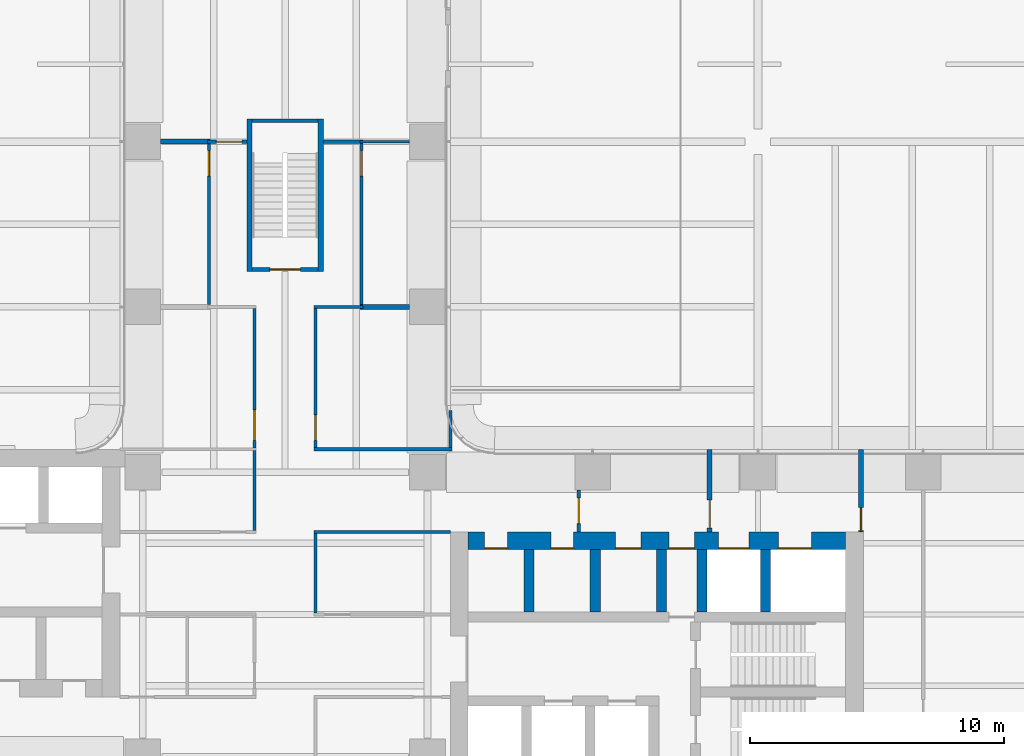
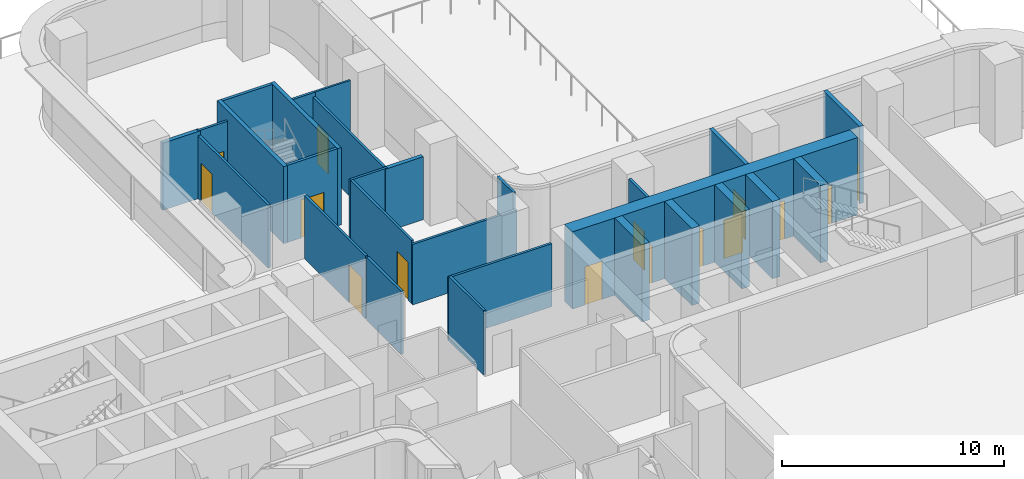
# One storey, part 23 of 29: 28 walls, 15 doors, 15 openings.
"""IFC4 building model written with IfcOpenShell, lengths in metres."""

from ifc_helpers import new_model, si_unit, direction, frame, frame_2d, origin, place, context, subcontext, project, spatial, rectangle, extrude, source, transform, mapped, material, layer, layer_set, type_object, element, fill, save


model = new_model("IFC4")

# Units and contexts
model_context = context("Model", 3, precision=1e-05, world=origin(), true_north=direction((0.0, 1.0)))
body_context = subcontext(model_context, "Body", "Model", "MODEL_VIEW")
ifc_project = project(units=[si_unit("LENGTHUNIT", "METRE"), si_unit("AREAUNIT", "SQUARE_METRE"), si_unit("VOLUMEUNIT", "CUBIC_METRE"), si_unit("PLANEANGLEUNIT", "RADIAN"), si_unit("MASSUNIT", "GRAM", prefix="KILO")], contexts=[model_context])

# Site, building, storey
site_placement = place(None, origin())
site = spatial("IfcSite", under=ifc_project, at=site_placement, CompositionType="ELEMENT")
building_placement = place(site_placement, origin())
building = spatial("IfcBuilding", under=site, at=building_placement, Name="Trellis Farm Tower", CompositionType="ELEMENT")
storey_placement = place(building_placement, frame((0.0, 0.0, 34.0)))
storey = spatial("IfcBuildingStorey", under=building, at=storey_placement, Name="L06", CompositionType="ELEMENT", Elevation=34.0)

# Walls
ifc_material_1 = material(Name="Concrete C80/95", Category="concrete")
ifc_layer_1 = layer(ifc_material_1, 0.39990234375)
ifc_layer_set_1 = layer_set([ifc_layer_1], Name="CORE INNER WALL 400 CONCRETE C80/95")
wall_type_1 = type_object("IfcWallType", Name="CORE INNER WALL 400 CONCRETE C80/95", PredefinedType="SHEAR", material=ifc_layer_set_1)
shared_shape_1 = source(origin(), body_context, "Body", "SweptSolid", [
    extrude(rectangle(XDim=2.449951171875, YDim=0.39990234375, at=frame_2d((1.22509765625, 0.0))), origin(), (0.0, 0.0, 1.0), 4.25),
])
for number, where, z_axis, x_axis, name in (
    (1, (9.60009765625, 0.10009765625, 0.0), (0.0, 0.0, 1.0), (0.0, 1.0, 0.0), "Core wall"),
    (2, (12.199951171875, 0.10009765625, 0.0), (0.0, 0.0, 1.0), (0.0, 1.0, 0.0), "Core wall"),
    (3, (14.800048828125, 0.10009765625, 0.0), (0.0, 0.0, 1.0), (0.0, 1.0, 0.0), "Core wall"),
    (4, (16.39990234375, 0.10009765625, 0.0), (0.0, 0.0, 1.0), (0.0, 1.0, 0.0), "Core wall"),
    (5, (18.89990234375, 0.10009765625, 0.0), (0.0, 0.0, 1.0), (0.0, 1.0, 0.0), "Core wall"),
):
    element("IfcWall", number, at=place(storey_placement, frame(where, z_axis=z_axis, x_axis=x_axis)), inside=storey, type_object=wall_type_1, Name=name, PredefinedType="SHEAR", context=body_context, shape_type="MappedRepresentation", body=[
        mapped(shared_shape_1, transform((0.0, 0.0, 0.0))),
    ])

# Wall, opening, door
ifc_material_2 = material(Name="Masonry blockwork", Category="masonry")
ifc_layer_2 = layer(ifc_material_2, 0.199951171875)
ifc_layer_set_2 = layer_set([ifc_layer_2], Name="FIRE LOBBY PARTITION 200 BLOCKWORK")
wall_type_2 = type_object("IfcWallType", Name="FIRE LOBBY PARTITION 200 BLOCKWORK", PredefinedType="PARTITIONING", material=ifc_layer_set_2)
shared_shape_2 = source(origin(), body_context, "Body", "SweptSolid", [
    extrude(rectangle(XDim=3.25, YDim=0.199951171875, at=frame_2d((1.625, 0.0))), origin(), (0.0, 0.0, 1.0), 4.25),
])
wall_1_placement = place(storey_placement, frame((16.699951171875, 3.25, 0.0), z_axis=(0.0, 0.0, 1.0), x_axis=(0.0, 1.0, 0.0)))
wall_1 = element("IfcWall", 6, at=wall_1_placement, inside=storey, type_object=wall_type_2, Name="Fire-fighting lobby partition", PredefinedType="PARTITIONING", context=body_context, shape_type="MappedRepresentation", body=[
    mapped(shared_shape_2, transform((0.0, 0.0, 0.0))),
])
shared_shape_3 = source(origin(), body_context, "Body", "SweptSolid", [
    extrude(rectangle(XDim=1.10009765625, YDim=2.10009765625, at=frame_2d((0.550048828125, 1.050048828125))), frame((0.0, 0.110107421875, 0.0), z_axis=(0.0, -1.0, 0.0), x_axis=(1.0, 0.0, 0.0)), (0.0, 0.0, 1.0), 0.22021484375),
])
opening_1_placement = place(wall_1_placement, frame((0.14990234375, 0.0, 0.0)))
opening_1 = element("IfcOpeningElement", 7, at=opening_1_placement, cuts=wall_1, Name="Opening DC7", PredefinedType="OPENING", context=body_context, shape_type="MappedRepresentation", body=[
    mapped(shared_shape_3, transform((0.0, 0.0, 0.0))),
])
ifc_material_3 = material(Name="Steel", Category="steel")
door_type_1 = type_object("IfcDoorType", Name="CORE FIRE DOOR 1100 X 2100", OperationType="NOTDEFINED", PredefinedType="DOOR", material=ifc_material_3)
shared_shape_4 = source(origin(), body_context, "Body", "SweptSolid", [
    extrude(rectangle(XDim=1.10009765625, YDim=2.10009765625, at=frame_2d((0.550048828125, 1.050048828125))), frame((0.0, 0.02490234375, 0.0), z_axis=(0.0, -1.0, 0.0), x_axis=(1.0, 0.0, 0.0)), (0.0, 0.0, 1.0), 0.050048828125),
])
door_1_placement = place(opening_1_placement, origin())
door_1 = element("IfcDoor", 8, at=door_1_placement, inside=storey, type_object=door_type_1, Name="Core door", OperationType="SINGLE_SWING_RIGHT", OverallHeight=2.10009765625, OverallWidth=1.10009765625, PredefinedType="DOOR", context=body_context, shape_type="MappedRepresentation", body=[
    mapped(shared_shape_4, transform((0.0, 0.0, 0.0))),
])
fill(opening_1, door_1)

wall_2_placement = place(storey_placement, frame((22.64990234375, 3.25, 0.0), z_axis=(0.0, 0.0, 1.0), x_axis=(0.0, 1.0, 0.0)))
wall_2 = element("IfcWall", 9, at=wall_2_placement, inside=storey, type_object=wall_type_2, Name="Fire-fighting lobby partition", PredefinedType="PARTITIONING", context=body_context, shape_type="MappedRepresentation", body=[
    mapped(shared_shape_2, transform((0.0, 0.0, 0.0))),
])
shared_shape_5 = source(origin(), body_context, "Body", "SweptSolid", [
    extrude(rectangle(XDim=0.89990234375, YDim=2.10009765625, at=frame_2d((0.449951171875, 1.050048828125))), frame((0.0, 0.110107421875, 0.0), z_axis=(0.0, -1.0, 0.0), x_axis=(1.0, 0.0, 0.0)), (0.0, 0.0, 1.0), 0.22021484375),
])
opening_2_placement = place(wall_2_placement, frame((0.050048828125, 0.0, 0.0)))
opening_2 = element("IfcOpeningElement", 10, at=opening_2_placement, cuts=wall_2, Name="Opening DC8", PredefinedType="OPENING", context=body_context, shape_type="MappedRepresentation", body=[
    mapped(shared_shape_5, transform((0.0, 0.0, 0.0))),
])
door_type_2 = type_object("IfcDoorType", Name="CORE FIRE DOOR 900 X 2100", OperationType="NOTDEFINED", PredefinedType="DOOR", material=ifc_material_3)
shared_shape_6 = source(origin(), body_context, "Body", "SweptSolid", [
    extrude(rectangle(XDim=0.89990234375, YDim=2.10009765625, at=frame_2d((0.449951171875, 1.050048828125))), frame((0.0, 0.02490234375, 0.0), z_axis=(0.0, -1.0, 0.0), x_axis=(1.0, 0.0, 0.0)), (0.0, 0.0, 1.0), 0.050048828125),
])
door_2_placement = place(opening_2_placement, origin())
door_2 = element("IfcDoor", 11, at=door_2_placement, inside=storey, type_object=door_type_2, Name="Core door", OperationType="SINGLE_SWING_RIGHT", OverallHeight=2.10009765625, OverallWidth=0.89990234375, PredefinedType="DOOR", context=body_context, shape_type="MappedRepresentation", body=[
    mapped(shared_shape_6, transform((0.0, 0.0, 0.0))),
])
fill(opening_2, door_2)

# Wall, openings, doors
ifc_layer_3 = layer(ifc_material_1, 0.699951171875)
ifc_layer_set_3 = layer_set([ifc_layer_3], Name="CORE OUTER WALL 700 CONCRETE C80/95")
wall_type_3 = type_object("IfcWallType", Name="CORE OUTER WALL 700 CONCRETE C80/95", PredefinedType="SHEAR", material=ifc_layer_set_3)
shared_shape_7 = source(origin(), body_context, "Body", "SweptSolid", [
    extrude(rectangle(XDim=14.85009765625, YDim=0.699951171875, at=frame_2d((7.425048828125, 0.0))), origin(), (0.0, 0.0, 1.0), 4.25),
])
wall_3_placement = place(storey_placement, frame((7.199951171875, 2.89990234375, 0.0), z_axis=(0.0, 0.0, 1.0), x_axis=(1.0, 0.0, 0.0)))
wall_3 = element("IfcWall", 12, at=wall_3_placement, inside=storey, type_object=wall_type_3, Name="Core wall", PredefinedType="SHEAR", context=body_context, shape_type="MappedRepresentation", body=[
    mapped(shared_shape_7, transform((0.0, 0.0, 0.0))),
])
shared_shape_8 = source(origin(), body_context, "Body", "SweptSolid", [
    extrude(rectangle(XDim=1.300048828125, YDim=2.10009765625, at=frame_2d((0.64990234375, 1.050048828125))), frame((0.0, 0.360107421875, 0.0), z_axis=(0.0, -1.0, 0.0), x_axis=(1.0, 0.0, 0.0)), (0.0, 0.0, 1.0), 0.72021484375),
])
opening_3_placement = place(wall_3_placement, frame((12.199951171875, 0.0, 0.0)))
opening_3 = element("IfcOpeningElement", 13, at=opening_3_placement, cuts=wall_3, Name="Opening LD7", PredefinedType="OPENING", context=body_context, shape_type="MappedRepresentation", body=[
    mapped(shared_shape_8, transform((0.0, 0.0, 0.0))),
])
shared_shape_9 = source(origin(), body_context, "Body", "SweptSolid", [
    extrude(rectangle(XDim=1.199951171875, YDim=2.10009765625, at=frame_2d((0.60009765625, 1.050048828125))), frame((0.0, 0.360107421875, 0.0), z_axis=(0.0, -1.0, 0.0), x_axis=(1.0, 0.0, 0.0)), (0.0, 0.0, 1.0), 0.72021484375),
])
opening_4_placement = place(wall_3_placement, frame((9.85009765625, 0.0, 0.0)))
opening_4 = element("IfcOpeningElement", 14, at=opening_4_placement, cuts=wall_3, Name="Opening LD8", PredefinedType="OPENING", context=body_context, shape_type="MappedRepresentation", body=[
    mapped(shared_shape_9, transform((0.0, 0.0, 0.0))),
])
shared_shape_10 = source(origin(), body_context, "Body", "SweptSolid", [
    extrude(rectangle(XDim=1.0, YDim=2.10009765625, at=frame_2d((0.5, 1.050048828125))), frame((0.0, 0.360107421875, 0.0), z_axis=(0.0, -1.0, 0.0), x_axis=(1.0, 0.0, 0.0)), (0.0, 0.0, 1.0), 0.72021484375),
])
opening_5_placement = place(wall_3_placement, frame((7.89990234375, 0.0, 0.0)))
opening_5 = element("IfcOpeningElement", 15, at=opening_5_placement, cuts=wall_3, Name="Opening DC6", PredefinedType="OPENING", context=body_context, shape_type="MappedRepresentation", body=[
    mapped(shared_shape_10, transform((0.0, 0.0, 0.0))),
])
shared_shape_11 = source(origin(), body_context, "Body", "SweptSolid", [
    extrude(rectangle(XDim=0.89990234375, YDim=2.10009765625, at=frame_2d((0.449951171875, 1.050048828125))), frame((0.0, 0.360107421875, 0.0), z_axis=(0.0, -1.0, 0.0), x_axis=(1.0, 0.0, 0.0)), (0.0, 0.0, 1.0), 0.72021484375),
])
opening_6_placement = place(wall_3_placement, frame((0.64990234375, 0.0, 0.0)))
opening_6 = element("IfcOpeningElement", 16, at=opening_6_placement, cuts=wall_3, Name="Opening DC11", PredefinedType="OPENING", context=body_context, shape_type="MappedRepresentation", body=[
    mapped(shared_shape_11, transform((0.0, 0.0, 0.0))),
])
opening_7_placement = place(wall_3_placement, frame((3.25, 0.0, 0.0)))
opening_7 = element("IfcOpeningElement", 17, at=opening_7_placement, cuts=wall_3, Name="Opening DC24", PredefinedType="OPENING", context=body_context, shape_type="MappedRepresentation", body=[
    mapped(shared_shape_11, transform((0.0, 0.0, 0.0))),
])
opening_8_placement = place(wall_3_placement, frame((5.800048828125, 0.0, 0.0)))
opening_8 = element("IfcOpeningElement", 18, at=opening_8_placement, cuts=wall_3, Name="Opening DC37", PredefinedType="OPENING", context=body_context, shape_type="MappedRepresentation", body=[
    mapped(shared_shape_10, transform((0.0, 0.0, 0.0))),
])
door_type_3 = type_object("IfcDoorType", Name="CORE FIRE DOOR 1000 X 2100", OperationType="NOTDEFINED", PredefinedType="DOOR", material=ifc_material_3)
shared_shape_12 = source(origin(), body_context, "Body", "SweptSolid", [
    extrude(rectangle(XDim=1.0, YDim=2.10009765625, at=frame_2d((0.5, 1.050048828125))), frame((0.0, -0.27490234375, 0.0), z_axis=(0.0, -1.0, 0.0), x_axis=(1.0, 0.0, 0.0)), (0.0, 0.0, 1.0), 0.050048828125),
])
door_3_placement = place(opening_5_placement, origin())
door_3 = element("IfcDoor", 19, at=door_3_placement, inside=storey, type_object=door_type_3, Name="Core door", OperationType="SINGLE_SWING_LEFT", OverallHeight=2.10009765625, OverallWidth=1.0, PredefinedType="DOOR", context=body_context, shape_type="MappedRepresentation", body=[
    mapped(shared_shape_12, transform((0.0, 0.0, 0.0))),
])
fill(opening_5, door_3)
door_4_placement = place(opening_8_placement, origin())
door_4 = element("IfcDoor", 20, at=door_4_placement, inside=storey, type_object=door_type_3, Name="Core door", OperationType="SINGLE_SWING_LEFT", OverallHeight=2.10009765625, OverallWidth=1.0, PredefinedType="DOOR", context=body_context, shape_type="MappedRepresentation", body=[
    mapped(shared_shape_12, transform((0.0, 0.0, 0.0))),
])
fill(opening_8, door_4)
shared_shape_13 = source(origin(), body_context, "Body", "SweptSolid", [
    extrude(rectangle(XDim=0.89990234375, YDim=2.10009765625, at=frame_2d((0.449951171875, 1.050048828125))), frame((0.0, -0.27490234375, 0.0), z_axis=(0.0, -1.0, 0.0), x_axis=(1.0, 0.0, 0.0)), (0.0, 0.0, 1.0), 0.050048828125),
])
door_5_placement = place(opening_6_placement, origin())
door_5 = element("IfcDoor", 21, at=door_5_placement, inside=storey, type_object=door_type_2, Name="Core door", OperationType="SINGLE_SWING_LEFT", OverallHeight=2.10009765625, OverallWidth=0.89990234375, PredefinedType="DOOR", context=body_context, shape_type="MappedRepresentation", body=[
    mapped(shared_shape_13, transform((0.0, 0.0, 0.0))),
])
fill(opening_6, door_5)
door_6_placement = place(opening_7_placement, origin())
door_6 = element("IfcDoor", 22, at=door_6_placement, inside=storey, type_object=door_type_2, Name="Core door", OperationType="SINGLE_SWING_RIGHT", OverallHeight=2.10009765625, OverallWidth=0.89990234375, PredefinedType="DOOR", context=body_context, shape_type="MappedRepresentation", body=[
    mapped(shared_shape_13, transform((0.0, 0.0, 0.0))),
])
fill(opening_7, door_6)
ifc_material_4 = material(Name="Stainless steel", Category="steel")
door_type_4 = type_object("IfcDoorType", Name="LIFT LANDING DOOR 1300 X 2100", OperationType="DOUBLE_DOOR_SLIDING", PredefinedType="DOOR", material=ifc_material_4)
shared_shape_14 = source(origin(), body_context, "Body", "SweptSolid", [
    extrude(rectangle(XDim=1.300048828125, YDim=2.10009765625, at=frame_2d((0.64990234375, 1.050048828125))), frame((0.0, -0.27490234375, 0.0), z_axis=(0.0, -1.0, 0.0), x_axis=(1.0, 0.0, 0.0)), (0.0, 0.0, 1.0), 0.050048828125),
])
door_7_placement = place(opening_3_placement, origin())
door_7 = element("IfcDoor", 23, at=door_7_placement, inside=storey, type_object=door_type_4, Name="Lift landing door", OperationType="DOUBLE_DOOR_SLIDING", OverallHeight=2.10009765625, OverallWidth=1.300048828125, PredefinedType="DOOR", context=body_context, shape_type="MappedRepresentation", body=[
    mapped(shared_shape_14, transform((0.0, 0.0, 0.0))),
])
fill(opening_3, door_7)
door_type_5 = type_object("IfcDoorType", Name="LIFT LANDING DOOR 1200 X 2100", OperationType="DOUBLE_DOOR_SLIDING", PredefinedType="DOOR", material=ifc_material_4)
shared_shape_15 = source(origin(), body_context, "Body", "SweptSolid", [
    extrude(rectangle(XDim=1.199951171875, YDim=2.10009765625, at=frame_2d((0.60009765625, 1.050048828125))), frame((0.0, -0.27490234375, 0.0), z_axis=(0.0, -1.0, 0.0), x_axis=(1.0, 0.0, 0.0)), (0.0, 0.0, 1.0), 0.050048828125),
])
door_8_placement = place(opening_4_placement, origin())
door_8 = element("IfcDoor", 24, at=door_8_placement, inside=storey, type_object=door_type_5, Name="Lift landing door", OperationType="DOUBLE_DOOR_SLIDING", OverallHeight=2.10009765625, OverallWidth=1.199951171875, PredefinedType="DOOR", context=body_context, shape_type="MappedRepresentation", body=[
    mapped(shared_shape_15, transform((0.0, 0.0, 0.0))),
])
fill(opening_4, door_8)

# Walls
ifc_layer_4 = layer(ifc_material_1, 0.199951171875)
ifc_layer_set_4 = layer_set([ifc_layer_4], Name="CORE STAIR ENCLOSURE WALL 200 CONCRETE C80/95")
wall_type_4 = type_object("IfcWallType", Name="CORE STAIR ENCLOSURE WALL 200 CONCRETE C80/95", PredefinedType="SHEAR", material=ifc_layer_set_4)
shared_shape_16 = source(origin(), body_context, "Body", "SweptSolid", [
    extrude(rectangle(XDim=6.0, YDim=0.199951171875, at=frame_2d((3.0, 0.0))), origin(), (0.0, 0.0, 1.0), 4.25),
])
for number, where, z_axis, x_axis, name in (
    (25, (-1.39990234375, 13.5, 0.0), (0.0, 0.0, 1.0), (0.0, 1.0, 0.0), "Stair enclosure wall"),
    (26, (1.39990234375, 13.5, 0.0), (0.0, 0.0, 1.0), (0.0, 1.0, 0.0), "Stair enclosure wall"),
):
    element("IfcWall", number, at=place(storey_placement, frame(where, z_axis=z_axis, x_axis=x_axis)), inside=storey, type_object=wall_type_4, Name=name, PredefinedType="SHEAR", context=body_context, shape_type="MappedRepresentation", body=[
        mapped(shared_shape_16, transform((0.0, 0.0, 0.0))),
    ])

# Wall, opening, door
ifc_layer_5 = layer(ifc_material_1, 0.14990234375)
ifc_layer_set_5 = layer_set([ifc_layer_5], Name="CORE STAIR ENCLOSURE WALL 150 CONCRETE C80/95")
wall_type_5 = type_object("IfcWallType", Name="CORE STAIR ENCLOSURE WALL 150 CONCRETE C80/95", PredefinedType="SHEAR", material=ifc_layer_set_5)
shared_shape_17 = source(origin(), body_context, "Body", "SweptSolid", [
    extrude(rectangle(XDim=2.60009765625, YDim=0.14990234375, at=frame_2d((1.300048828125, 0.0))), origin(), (0.0, 0.0, 1.0), 4.25),
])
wall_4_placement = place(storey_placement, frame((-1.300048828125, 13.574951171875, 0.0), z_axis=(0.0, 0.0, 1.0), x_axis=(1.0, 0.0, 0.0)))
wall_4 = element("IfcWall", 27, at=wall_4_placement, inside=storey, type_object=wall_type_5, Name="Stair enclosure wall", PredefinedType="SHEAR", context=body_context, shape_type="MappedRepresentation", body=[
    mapped(shared_shape_17, transform((0.0, 0.0, 0.0))),
])
shared_shape_18 = source(origin(), body_context, "Body", "SweptSolid", [
    extrude(rectangle(XDim=1.199951171875, YDim=2.10009765625, at=frame_2d((0.60009765625, 1.050048828125))), frame((0.0, 0.0849609375, 0.0), z_axis=(0.0, -1.0, 0.0), x_axis=(1.0, 0.0, 0.0)), (0.0, 0.0, 1.0), 0.169921875),
])
opening_9_placement = place(wall_4_placement, frame((0.699951171875, 0.0, 0.0)))
opening_9 = element("IfcOpeningElement", 28, at=opening_9_placement, cuts=wall_4, Name="Opening DC173", PredefinedType="OPENING", context=body_context, shape_type="MappedRepresentation", body=[
    mapped(shared_shape_18, transform((0.0, 0.0, 0.0))),
])
door_type_6 = type_object("IfcDoorType", Name="CORE FIRE DOOR 1200 X 2100", OperationType="NOTDEFINED", PredefinedType="DOOR", material=ifc_material_3)
shared_shape_19 = source(origin(), body_context, "Body", "SweptSolid", [
    extrude(rectangle(XDim=1.199951171875, YDim=2.10009765625, at=frame_2d((0.60009765625, 1.050048828125))), frame((0.0, 0.02490234375, 0.0), z_axis=(0.0, -1.0, 0.0), x_axis=(1.0, 0.0, 0.0)), (0.0, 0.0, 1.0), 0.050048828125),
])
door_9_placement = place(opening_9_placement, origin())
door_9 = element("IfcDoor", 29, at=door_9_placement, inside=storey, type_object=door_type_6, Name="Core door", OperationType="SINGLE_SWING_LEFT", OverallHeight=2.10009765625, OverallWidth=1.199951171875, PredefinedType="DOOR", context=body_context, shape_type="MappedRepresentation", body=[
    mapped(shared_shape_19, transform((0.0, 0.0, 0.0))),
])
fill(opening_9, door_9)

# Walls
wall_5_placement = place(storey_placement, frame((-1.300048828125, 19.425048828125, 0.0), z_axis=(0.0, 0.0, 1.0), x_axis=(1.0, 0.0, 0.0)))
element("IfcWall", 30, at=wall_5_placement, inside=storey, type_object=wall_type_5, Name="Stair enclosure wall", PredefinedType="SHEAR", context=body_context, shape_type="MappedRepresentation", body=[
    mapped(shared_shape_17, transform((0.0, 0.0, 0.0))),
])
ifc_material_5 = material(Name="Plasterboard on steel studs, mineral wool", Category="steel")
ifc_layer_6 = layer(ifc_material_5, 0.125)
ifc_layer_set_6 = layer_set([ifc_layer_6], Name="PARTITION 125 STUD EI 60")
wall_type_6 = type_object("IfcWallType", Name="PARTITION 125 STUD EI 60", PredefinedType="PARTITIONING", material=ifc_layer_set_6)
shared_shape_20 = source(origin(), body_context, "Body", "SweptSolid", [
    extrude(rectangle(XDim=3.125, YDim=0.125, at=frame_2d((1.5625, 0.0))), origin(), (0.0, 0.0, 1.0), 3.54638671875),
])
wall_6_placement = place(storey_placement, frame((1.199951171875, 3.1875, 0.0), z_axis=(0.0, 0.0, 1.0), x_axis=(0.0, -1.0, 0.0)))
element("IfcWall", 31, at=wall_6_placement, inside=storey, type_object=wall_type_6, Name="Partition PW1", PredefinedType="PARTITIONING", context=body_context, shape_type="MappedRepresentation", body=[
    mapped(shared_shape_20, transform((0.0, 0.0, 0.0))),
])

# Wall, opening, door
shared_shape_21 = source(origin(), body_context, "Body", "SweptSolid", [
    extrude(rectangle(XDim=5.47509765625, YDim=0.125, at=frame_2d((2.737548828125, 0.0))), origin(), (0.0, 0.0, 1.0), 3.4677734375),
])
wall_7_placement = place(storey_placement, frame((1.199951171875, 12.03759765625, 0.0), z_axis=(0.0, 0.0, 1.0), x_axis=(0.0, -1.0, 0.0)))
wall_7 = element("IfcWall", 32, at=wall_7_placement, inside=storey, type_object=wall_type_6, Name="Partition PW1", PredefinedType="PARTITIONING", context=body_context, shape_type="MappedRepresentation", body=[
    mapped(shared_shape_21, transform((0.0, 0.0, 0.0))),
])
shared_shape_22 = source(origin(), body_context, "Body", "SweptSolid", [
    extrude(rectangle(XDim=1.0, YDim=2.10009765625, at=frame_2d((0.5, 1.050048828125))), frame((0.0, 0.072509765625, 0.0), z_axis=(0.0, -1.0, 0.0), x_axis=(1.0, 0.0, 0.0)), (0.0, 0.0, 1.0), 0.14501953125),
])
opening_10_placement = place(wall_7_placement, frame((4.1875, 0.0, 0.0)))
opening_10 = element("IfcOpeningElement", 33, at=opening_10_placement, cuts=wall_7, Name="Opening D304", PredefinedType="OPENING", context=body_context, shape_type="MappedRepresentation", body=[
    mapped(shared_shape_22, transform((0.0, 0.0, 0.0))),
])
ifc_material_6 = material(Name="Fire-rated timber door leaf in a hollow metal frame", Category="wood")
door_type_7 = type_object("IfcDoorType", Name="DOOR 1000x2100 FD60", OperationType="NOTDEFINED", PredefinedType="DOOR", material=ifc_material_6)
shared_shape_23 = source(origin(), body_context, "Body", "SweptSolid", [
    extrude(rectangle(XDim=1.0, YDim=2.10009765625, at=frame_2d((0.5, 1.050048828125))), frame((0.0, 0.02490234375, 0.0), z_axis=(0.0, -1.0, 0.0), x_axis=(1.0, 0.0, 0.0)), (0.0, 0.0, 1.0), 0.050048828125),
])
door_10_placement = place(opening_10_placement, origin())
door_10 = element("IfcDoor", 34, at=door_10_placement, inside=storey, type_object=door_type_7, Name="Door D304", OperationType="SINGLE_SWING_RIGHT", OverallHeight=2.10009765625, OverallWidth=1.0, PredefinedType="DOOR", context=body_context, shape_type="MappedRepresentation", body=[
    mapped(shared_shape_23, transform((0.0, 0.0, 0.0))),
])
fill(opening_10, door_10)

shared_shape_24 = source(origin(), body_context, "Body", "SweptSolid", [
    extrude(rectangle(XDim=6.35009765625, YDim=0.125, at=frame_2d((3.175048828125, 0.0))), origin(), (0.0, 0.0, 1.0), 3.4677734375),
])
wall_8_placement = place(storey_placement, frame((3.0, 18.550048828125, 0.0), z_axis=(0.0, 0.0, 1.0), x_axis=(0.0, -1.0, 0.0)))
wall_8 = element("IfcWall", 35, at=wall_8_placement, inside=storey, type_object=wall_type_6, Name="Partition PW1", PredefinedType="PARTITIONING", context=body_context, shape_type="MappedRepresentation", body=[
    mapped(shared_shape_24, transform((0.0, 0.0, 0.0))),
])
opening_11_placement = place(wall_8_placement, frame((0.300048828125, 0.0, 0.0)))
opening_11 = element("IfcOpeningElement", 36, at=opening_11_placement, cuts=wall_8, Name="Opening D110", PredefinedType="OPENING", context=body_context, shape_type="MappedRepresentation", body=[
    mapped(shared_shape_22, transform((0.0, 0.0, 0.0))),
])
door_type_8 = type_object("IfcDoorType", Name="DOOR 1000x2100 FD30S", OperationType="NOTDEFINED", PredefinedType="DOOR", material=ifc_material_6)
door_11_placement = place(opening_11_placement, origin())
door_11 = element("IfcDoor", 37, at=door_11_placement, inside=storey, type_object=door_type_8, Name="Door D110", OperationType="SINGLE_SWING_LEFT", OverallHeight=2.10009765625, OverallWidth=1.0, PredefinedType="DOOR", context=body_context, shape_type="MappedRepresentation", body=[
    mapped(shared_shape_23, transform((0.0, 0.0, 0.0))),
])
fill(opening_11, door_11)

# Wall
shared_shape_25 = source(origin(), body_context, "Body", "SweptSolid", [
    extrude(rectangle(XDim=1.468994140625, YDim=0.125, at=frame_2d((0.734375, 0.0))), origin(), (0.0, 0.0, 1.0), 4.25),
])
wall_9_placement = place(storey_placement, frame((6.5, 6.5625, 0.0), z_axis=(0.0, 0.0, 1.0), x_axis=(0.0, 1.0, 0.0)))
element("IfcWall", 38, at=wall_9_placement, inside=storey, type_object=wall_type_6, Name="Partition PW1", PredefinedType="PARTITIONING", context=body_context, shape_type="MappedRepresentation", body=[
    mapped(shared_shape_25, transform((0.0, 0.0, 0.0))),
])

# Wall, opening, door
shared_shape_26 = source(origin(), body_context, "Body", "SweptSolid", [
    extrude(rectangle(XDim=1.64990234375, YDim=0.125, at=frame_2d((0.824951171875, 0.0))), origin(), (0.0, 0.0, 1.0), 4.25),
])
wall_10_placement = place(storey_placement, frame((11.550048828125, 3.25, 0.0), z_axis=(0.0, 0.0, 1.0), x_axis=(0.0, 1.0, 0.0)))
wall_10 = element("IfcWall", 39, at=wall_10_placement, inside=storey, type_object=wall_type_6, Name="Partition PW1", PredefinedType="PARTITIONING", context=body_context, shape_type="MappedRepresentation", body=[
    mapped(shared_shape_26, transform((0.0, 0.0, 0.0))),
])
opening_12_placement = place(wall_10_placement, frame((0.324951171875, 0.0, 0.0)))
opening_12 = element("IfcOpeningElement", 40, at=opening_12_placement, cuts=wall_10, Name="Opening D303", PredefinedType="OPENING", context=body_context, shape_type="MappedRepresentation", body=[
    mapped(shared_shape_22, transform((0.0, 0.0, 0.0))),
])
door_12_placement = place(opening_12_placement, origin())
door_12 = element("IfcDoor", 41, at=door_12_placement, inside=storey, type_object=door_type_7, Name="Door D303", OperationType="SINGLE_SWING_LEFT", OverallHeight=2.10009765625, OverallWidth=1.0, PredefinedType="DOOR", context=body_context, shape_type="MappedRepresentation", body=[
    mapped(shared_shape_23, transform((0.0, 0.0, 0.0))),
])
fill(opening_12, door_12)

# Wall
ifc_material_7 = material(Name="Plasterboard on steel studs", Category="steel")
ifc_layer_7 = layer(ifc_material_7, 0.10009765625)
ifc_layer_set_7 = layer_set([ifc_layer_7], Name="PARTITION 100 STUD EI 30")
wall_type_7 = type_object("IfcWallType", Name="PARTITION 100 STUD EI 30", PredefinedType="PARTITIONING", material=ifc_layer_set_7)
shared_shape_27 = source(origin(), body_context, "Body", "SweptSolid", [
    extrude(rectangle(XDim=1.96240234375, YDim=0.10009765625, at=frame_2d((0.981201171875, 0.0))), origin(), (0.0, 0.0, 1.0), 3.69677734375),
])
wall_11_placement = place(storey_placement, frame((2.9375, 18.60009765625, 0.0), z_axis=(0.0, 0.0, 1.0), x_axis=(1.0, 0.0, 0.0)))
element("IfcWall", 42, at=wall_11_placement, inside=storey, type_object=wall_type_7, Name="Partition PW2", PredefinedType="PARTITIONING", context=body_context, shape_type="MappedRepresentation", body=[
    mapped(shared_shape_27, transform((0.0, 0.0, 0.0))),
])

# Wall, opening, door
shared_shape_28 = source(origin(), body_context, "Body", "SweptSolid", [
    extrude(rectangle(XDim=1.5625, YDim=0.125, at=frame_2d((0.78125, 0.0))), origin(), (0.0, 0.0, 1.0), 3.69677734375),
])
wall_12_placement = place(storey_placement, frame((-3.0625, 18.60009765625, 0.0), z_axis=(0.0, 0.0, 1.0), x_axis=(1.0, 0.0, 0.0)))
wall_12 = element("IfcWall", 43, at=wall_12_placement, inside=storey, type_object=wall_type_6, Name="Partition PW1", PredefinedType="PARTITIONING", context=body_context, shape_type="MappedRepresentation", body=[
    mapped(shared_shape_28, transform((0.0, 0.0, 0.0))),
])
opening_13_placement = place(wall_12_placement, frame((0.362548828125, 0.0, 0.0)))
opening_13 = element("IfcOpeningElement", 44, at=opening_13_placement, cuts=wall_12, Name="Opening D111", PredefinedType="OPENING", context=body_context, shape_type="MappedRepresentation", body=[
    mapped(shared_shape_22, transform((0.0, 0.0, 0.0))),
])
door_13_placement = place(opening_13_placement, origin())
door_13 = element("IfcDoor", 45, at=door_13_placement, inside=storey, type_object=door_type_8, Name="Door D111", OperationType="SINGLE_SWING_RIGHT", OverallHeight=2.10009765625, OverallWidth=1.0, PredefinedType="DOOR", context=body_context, shape_type="MappedRepresentation", body=[
    mapped(shared_shape_23, transform((0.0, 0.0, 0.0))),
])
fill(opening_13, door_13)

# Walls
wall_13_placement = place(storey_placement, frame((1.5, 18.60009765625, 0.0), z_axis=(0.0, 0.0, 1.0), x_axis=(1.0, 0.0, 0.0)))
element("IfcWall", 46, at=wall_13_placement, inside=storey, type_object=wall_type_6, Name="Partition PW1", PredefinedType="PARTITIONING", context=body_context, shape_type="MappedRepresentation", body=[
    mapped(shared_shape_28, transform((0.0, 0.0, 0.0))),
])
shared_shape_29 = source(origin(), body_context, "Body", "SweptSolid", [
    extrude(rectangle(XDim=1.925048828125, YDim=0.125, at=frame_2d((0.96240234375, 0.0))), origin(), (0.0, 0.0, 1.0), 3.4677734375),
])
wall_14_placement = place(storey_placement, frame((3.0625, 12.10009765625, 0.0), z_axis=(0.0, 0.0, 1.0), x_axis=(-1.0, 0.0, 0.0)))
element("IfcWall", 47, at=wall_14_placement, inside=storey, type_object=wall_type_6, Name="Partition PW1", PredefinedType="PARTITIONING", context=body_context, shape_type="MappedRepresentation", body=[
    mapped(shared_shape_29, transform((0.0, 0.0, 0.0))),
])
shared_shape_30 = source(origin(), body_context, "Body", "SweptSolid", [
    extrude(rectangle(XDim=5.362548828125, YDim=0.125, at=frame_2d((2.68115234375, 0.0))), origin(), (0.0, 0.0, 1.0), 3.4677734375),
])
wall_15_placement = place(storey_placement, frame((1.137451171875, 3.25, 0.0), z_axis=(0.0, 0.0, 1.0), x_axis=(1.0, 0.0, 0.0)))
element("IfcWall", 48, at=wall_15_placement, inside=storey, type_object=wall_type_6, Name="Partition PW1", PredefinedType="PARTITIONING", context=body_context, shape_type="MappedRepresentation", body=[
    mapped(shared_shape_30, transform((0.0, 0.0, 0.0))),
])
shared_shape_31 = source(origin(), body_context, "Body", "SweptSolid", [
    extrude(rectangle(XDim=5.425048828125, YDim=0.125, at=frame_2d((2.71240234375, 0.0))), origin(), (0.0, 0.0, 1.0), 3.330078125),
])
wall_16_placement = place(storey_placement, frame((1.137451171875, 6.5, 0.0), z_axis=(0.0, 0.0, 1.0), x_axis=(1.0, 0.0, 0.0)))
element("IfcWall", 49, at=wall_16_placement, inside=storey, type_object=wall_type_6, Name="Partition PW1", PredefinedType="PARTITIONING", context=body_context, shape_type="MappedRepresentation", body=[
    mapped(shared_shape_31, transform((0.0, 0.0, 0.0))),
])
ifc_material_8 = material(Name="Lightweight blockwork, plastered", Category="masonry")
ifc_layer_8 = layer(ifc_material_8, 0.199951171875)
ifc_layer_set_8 = layer_set([ifc_layer_8], Name="BLOCK WALL 200 EI 120")
wall_type_8 = type_object("IfcWallType", Name="BLOCK WALL 200 EI 120", PredefinedType="PARTITIONING", material=ifc_layer_set_8)
shared_shape_32 = source(origin(), body_context, "Body", "SweptSolid", [
    extrude(rectangle(XDim=1.96240234375, YDim=0.199951171875, at=frame_2d((0.981201171875, 0.0))), origin(), (0.0, 0.0, 1.0), 3.4677734375),
])
wall_17_placement = place(storey_placement, frame((2.9375, 12.10009765625, 0.0), z_axis=(0.0, 0.0, 1.0), x_axis=(1.0, 0.0, 0.0)))
element("IfcWall", 50, at=wall_17_placement, inside=storey, type_object=wall_type_8, Name="Partition PW3", PredefinedType="PARTITIONING", context=body_context, shape_type="MappedRepresentation", body=[
    mapped(shared_shape_32, transform((0.0, 0.0, 0.0))),
])

# Wall, opening, door
shared_shape_33 = source(origin(), body_context, "Body", "SweptSolid", [
    extrude(rectangle(XDim=6.300048828125, YDim=0.125, at=frame_2d((3.14990234375, 0.0))), origin(), (0.0, 0.0, 1.0), 3.4677734375),
])
wall_18_placement = place(storey_placement, frame((-3.0, 12.199951171875, 0.0), z_axis=(0.0, 0.0, 1.0), x_axis=(0.0, 1.0, 0.0)))
wall_18 = element("IfcWall", 51, at=wall_18_placement, inside=storey, type_object=wall_type_6, Name="Partition PW1", PredefinedType="PARTITIONING", context=body_context, shape_type="MappedRepresentation", body=[
    mapped(shared_shape_33, transform((0.0, 0.0, 0.0))),
])
opening_14_placement = place(wall_18_placement, frame((5.050048828125, 0.0, 0.0)))
opening_14 = element("IfcOpeningElement", 52, at=opening_14_placement, cuts=wall_18, Name="Opening D305", PredefinedType="OPENING", context=body_context, shape_type="MappedRepresentation", body=[
    mapped(shared_shape_22, transform((0.0, 0.0, 0.0))),
])
door_14_placement = place(opening_14_placement, origin())
door_14 = element("IfcDoor", 53, at=door_14_placement, inside=storey, type_object=door_type_7, Name="Door D305", OperationType="SINGLE_SWING_RIGHT", OverallHeight=2.10009765625, OverallWidth=1.0, PredefinedType="DOOR", context=body_context, shape_type="MappedRepresentation", body=[
    mapped(shared_shape_23, transform((0.0, 0.0, 0.0))),
])
fill(opening_14, door_14)

# Wall
shared_shape_34 = source(origin(), body_context, "Body", "SweptSolid", [
    extrude(rectangle(XDim=3.137451171875, YDim=0.125, at=frame_2d((1.56884765625, 0.0))), origin(), (0.0, 0.0, 1.0), 3.4677734375),
])
wall_19_placement = place(storey_placement, frame((-1.199951171875, 6.449951171875, 0.0), z_axis=(0.0, 0.0, 1.0), x_axis=(0.0, -1.0, 0.0)))
element("IfcWall", 54, at=wall_19_placement, inside=storey, type_object=wall_type_6, Name="Partition PW1", PredefinedType="PARTITIONING", context=body_context, shape_type="MappedRepresentation", body=[
    mapped(shared_shape_34, transform((0.0, 0.0, 0.0))),
])

# Wall, opening, door
shared_shape_35 = source(origin(), body_context, "Body", "SweptSolid", [
    extrude(rectangle(XDim=5.487548828125, YDim=0.125, at=frame_2d((2.74365234375, 0.0))), origin(), (0.0, 0.0, 1.0), 3.4677734375),
])
wall_20_placement = place(storey_placement, frame((-1.199951171875, 6.550048828125, 0.0), z_axis=(0.0, 0.0, 1.0), x_axis=(0.0, 1.0, 0.0)))
wall_20 = element("IfcWall", 55, at=wall_20_placement, inside=storey, type_object=wall_type_6, Name="Partition PW1", PredefinedType="PARTITIONING", context=body_context, shape_type="MappedRepresentation", body=[
    mapped(shared_shape_35, transform((0.0, 0.0, 0.0))),
])
shared_shape_36 = source(origin(), body_context, "Body", "SweptSolid", [
    extrude(rectangle(XDim=1.199951171875, YDim=2.10009765625, at=frame_2d((0.60009765625, 1.050048828125))), frame((0.0, 0.072509765625, 0.0), z_axis=(0.0, -1.0, 0.0), x_axis=(1.0, 0.0, 0.0)), (0.0, 0.0, 1.0), 0.14501953125),
])
opening_15_placement = place(wall_20_placement, frame((0.300048828125, 0.0, 0.0)))
opening_15 = element("IfcOpeningElement", 56, at=opening_15_placement, cuts=wall_20, Name="Opening D602", PredefinedType="OPENING", context=body_context, shape_type="MappedRepresentation", body=[
    mapped(shared_shape_36, transform((0.0, 0.0, 0.0))),
])
door_type_9 = type_object("IfcDoorType", Name="DOOR 1200x2100 FD30S", OperationType="NOTDEFINED", PredefinedType="DOOR", material=ifc_material_6)
door_15_placement = place(opening_15_placement, origin())
door_15 = element("IfcDoor", 57, at=door_15_placement, inside=storey, type_object=door_type_9, Name="Door D602", OperationType="SINGLE_SWING_LEFT", OverallHeight=2.10009765625, OverallWidth=1.199951171875, PredefinedType="DOOR", context=body_context, shape_type="MappedRepresentation", body=[
    mapped(shared_shape_19, transform((0.0, 0.0, 0.0))),
])
fill(opening_15, door_15)

# Wall
shared_shape_37 = source(origin(), body_context, "Body", "SweptSolid", [
    extrude(rectangle(XDim=1.96240234375, YDim=0.199951171875, at=frame_2d((0.981201171875, 0.0))), origin(), (0.0, 0.0, 1.0), 3.69677734375),
])
wall_21_placement = place(storey_placement, frame((-4.89990234375, 18.60009765625, 0.0), z_axis=(0.0, 0.0, 1.0), x_axis=(1.0, 0.0, 0.0)))
element("IfcWall", 58, at=wall_21_placement, inside=storey, type_object=wall_type_8, Name="Partition PW3", PredefinedType="PARTITIONING", context=body_context, shape_type="MappedRepresentation", body=[
    mapped(shared_shape_37, transform((0.0, 0.0, 0.0))),
])

save(model, "model.ifc")
